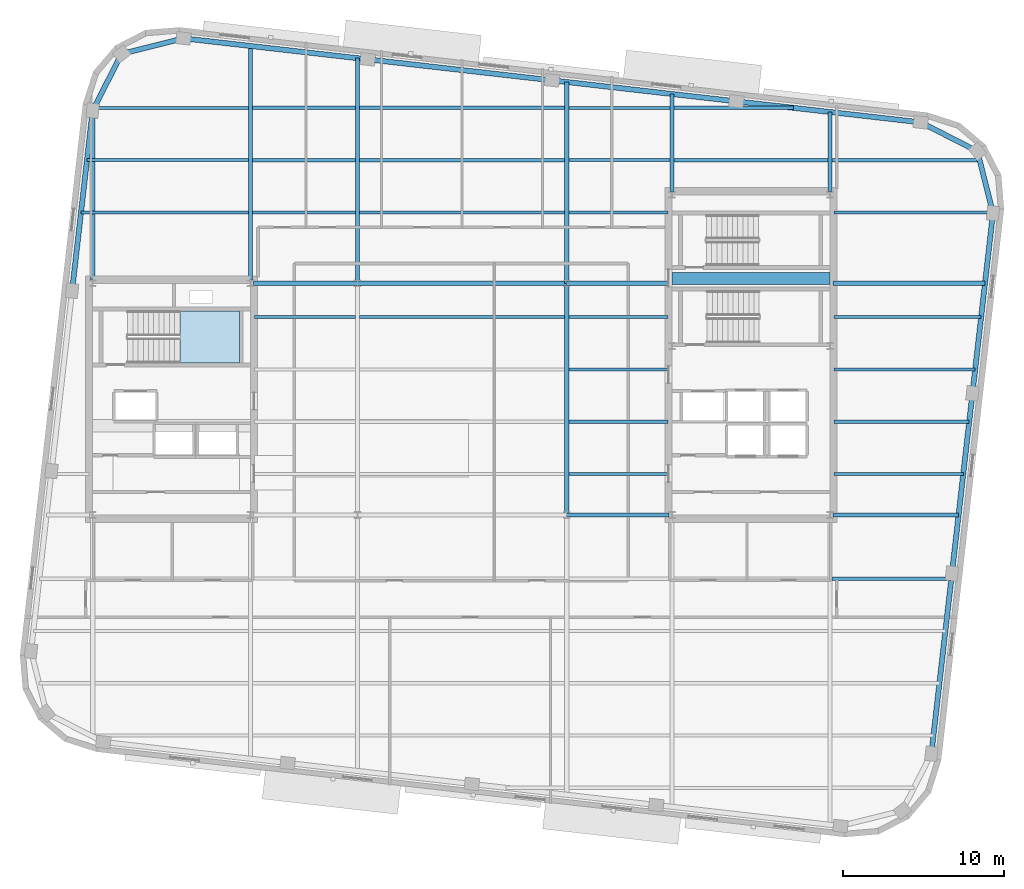
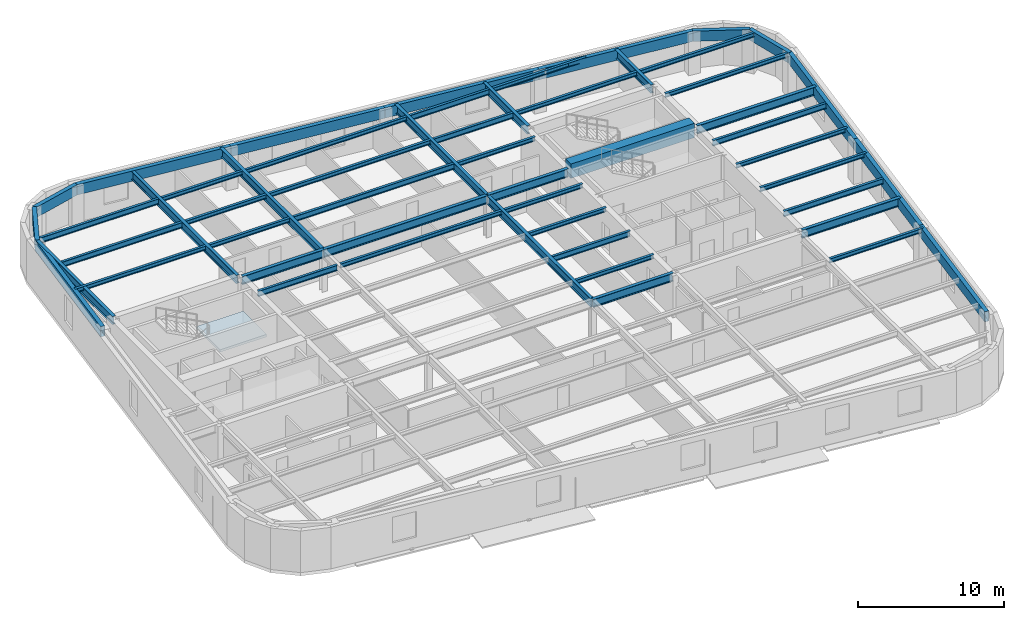
# One storey, part 4 of 13: 53 beams, 1 slab, 1 element without a shape of its own.
"""IFC4 building model written with IfcOpenShell, lengths in metres."""

from ifc_helpers import new_model, si_unit, direction, frame, origin, origin_2d, place, context, subcontext, project, spatial, polyline, rectangle, hollow_rectangle, i_section, outline, extrude, material, layer, layer_set, material_profile, profile_set, type_object, element, aggregate, save


model = new_model("IFC4")

# Units and contexts
model_context = context("Model", 3, precision=1e-05, world=origin(), true_north=direction((0.0, 1.0)))
body_context = subcontext(model_context, "Body", "Model", "MODEL_VIEW")
ifc_project = project(units=[si_unit("LENGTHUNIT", "METRE"), si_unit("AREAUNIT", "SQUARE_METRE"), si_unit("VOLUMEUNIT", "CUBIC_METRE"), si_unit("PLANEANGLEUNIT", "RADIAN"), si_unit("MASSUNIT", "GRAM", prefix="KILO")], contexts=[model_context])

# Site, building, storey
site_placement = place(None, origin())
site = spatial("IfcSite", under=ifc_project, at=site_placement, CompositionType="ELEMENT")
building_placement = place(site_placement, origin())
building = spatial("IfcBuilding", under=site, at=building_placement, Name="Kolvaren Arena Tower", CompositionType="ELEMENT")
storey_placement = place(building_placement, frame((0.0, 0.0, 239.699951171875)))
storey = spatial("IfcBuildingStorey", under=building, at=storey_placement, Name="L58", CompositionType="ELEMENT", Elevation=239.699951171875)

# Beams
ifc_material_1 = material(Name="Steel CSA G40.21 350W", Category="steel")
ifc_material_profile_1 = material_profile(ifc_material_1, i_section(OverallWidth=0.193115234375, OverallDepth=0.462890625, WebThickness=0.0107421875, FlangeThickness=0.0205078125, FilletRadius=0.012939453125, at=origin_2d()), Name="W460x113")
ifc_profile_set_1 = profile_set([ifc_material_profile_1], Name="Steel CSA G40.21 350W")
beam_type_1 = type_object("IfcBeamType", Name="BEAM-F2", PredefinedType="BEAM", material=ifc_profile_set_1)
beam_1_placement = place(storey_placement, frame((60.594970703125, 22.0, 3.24853515625), z_axis=(1.0, 0.0, 0.0), x_axis=(0.0, 1.0, 0.0)))
element("IfcBeam", 1, at=beam_1_placement, inside=storey, type_object=beam_type_1, Name="Composite Floor Beam (L58)", PredefinedType="BEAM", context=body_context, shape_type="SweptSolid", body=[
    extrude(i_section(OverallWidth=0.193115234375, OverallDepth=0.462890625, WebThickness=0.0107421875, FlangeThickness=0.0205078125, FilletRadius=0.012939453125, at=origin_2d()), origin(), (0.0, 0.0, 1.0), 8.041015625),
])
beam_2_placement = place(storey_placement, frame((44.12744140625, 25.25, 3.24853515625), z_axis=(1.0, 0.0, 0.0), x_axis=(0.0, 1.0, 0.0)))
element("IfcBeam", 2, at=beam_2_placement, inside=storey, type_object=beam_type_1, Name="Composite Floor Beam (L58)", PredefinedType="BEAM", context=body_context, shape_type="SweptSolid", body=[
    extrude(i_section(OverallWidth=0.193115234375, OverallDepth=0.462890625, WebThickness=0.0107421875, FlangeThickness=0.0205078125, FilletRadius=0.012939453125, at=origin_2d()), origin(), (0.0, 0.0, 1.0), 6.177490234375),
])
beam_3_placement = place(storey_placement, frame((24.594970703125, 31.75, 3.24853515625), z_axis=(1.0, 0.0, 0.0), x_axis=(0.0, 1.0, 0.0)))
element("IfcBeam", 3, at=beam_3_placement, inside=storey, type_object=beam_type_1, Name="Composite Floor Beam (L58)", PredefinedType="BEAM", context=body_context, shape_type="SweptSolid", body=[
    extrude(i_section(OverallWidth=0.193115234375, OverallDepth=0.462890625, WebThickness=0.0107421875, FlangeThickness=0.0205078125, FilletRadius=0.012939453125, at=origin_2d()), origin(), (0.0, 0.0, 1.0), 6.277587890625),
])
beam_4_placement = place(storey_placement, frame((60.594970703125, 31.75, 3.24853515625), z_axis=(1.0, 0.0, 0.0), x_axis=(0.0, 1.0, 0.0)))
element("IfcBeam", 4, at=beam_4_placement, inside=storey, type_object=beam_type_1, Name="Composite Floor Beam (L58)", PredefinedType="BEAM", context=body_context, shape_type="SweptSolid", body=[
    extrude(i_section(OverallWidth=0.193115234375, OverallDepth=0.462890625, WebThickness=0.0107421875, FlangeThickness=0.0205078125, FilletRadius=0.012939453125, at=origin_2d()), origin(), (0.0, 0.0, 1.0), 9.15185546875),
])
beam_5_placement = place(storey_placement, frame((31.12744140625, 38.25, 3.24853515625), z_axis=(1.0, 0.0, 0.0), x_axis=(0.0, 1.0, 0.0)))
element("IfcBeam", 5, at=beam_5_placement, inside=storey, type_object=beam_type_1, Name="Composite Floor Beam (L58)", PredefinedType="BEAM", context=body_context, shape_type="SweptSolid", body=[
    extrude(i_section(OverallWidth=0.193115234375, OverallDepth=0.462890625, WebThickness=0.0107421875, FlangeThickness=0.0205078125, FilletRadius=0.012939453125, at=origin_2d()), origin(), (0.0, 0.0, 1.0), 12.7451171875),
])
beam_6_placement = place(storey_placement, frame((14.193359375, 41.5, 3.24853515625), z_axis=(1.0, 0.0, 0.0), x_axis=(0.0, 1.0, 0.0)))
element("IfcBeam", 6, at=beam_6_placement, inside=storey, type_object=beam_type_1, Name="Composite Floor Beam (L58)", PredefinedType="BEAM", context=body_context, shape_type="SweptSolid", body=[
    extrude(i_section(OverallWidth=0.193115234375, OverallDepth=0.462890625, WebThickness=0.0107421875, FlangeThickness=0.0205078125, FilletRadius=0.012939453125, at=origin_2d()), origin(), (0.0, 0.0, 1.0), 10.029052734375),
])
beam_7_placement = place(storey_placement, frame((44.12744140625, 41.5, 3.24853515625), z_axis=(1.0, 0.0, 0.0), x_axis=(0.0, 1.0, 0.0)))
element("IfcBeam", 7, at=beam_7_placement, inside=storey, type_object=beam_type_1, Name="Composite Floor Beam (L58)", PredefinedType="BEAM", context=body_context, shape_type="SweptSolid", body=[
    extrude(i_section(OverallWidth=0.193115234375, OverallDepth=0.462890625, WebThickness=0.0107421875, FlangeThickness=0.0205078125, FilletRadius=0.012939453125, at=origin_2d()), origin(), (0.0, 0.0, 1.0), 6.295166015625),
])
beam_8_placement = place(storey_placement, frame((14.632080078125, 44.75, 3.24853515625), z_axis=(1.0, 0.0, 0.0), x_axis=(0.0, 1.0, 0.0)))
element("IfcBeam", 8, at=beam_8_placement, inside=storey, type_object=beam_type_1, Name="Composite Floor Beam (L58)", PredefinedType="BEAM", context=body_context, shape_type="SweptSolid", body=[
    extrude(i_section(OverallWidth=0.193115234375, OverallDepth=0.462890625, WebThickness=0.0107421875, FlangeThickness=0.0205078125, FilletRadius=0.012939453125, at=origin_2d()), origin(), (0.0, 0.0, 1.0), 9.59033203125),
])
beam_9_placement = place(storey_placement, frame((44.12744140625, 44.75, 3.24853515625), z_axis=(1.0, 0.0, 0.0), x_axis=(0.0, 1.0, 0.0)))
element("IfcBeam", 9, at=beam_9_placement, inside=storey, type_object=beam_type_1, Name="Composite Floor Beam (L58)", PredefinedType="BEAM", context=body_context, shape_type="SweptSolid", body=[
    extrude(i_section(OverallWidth=0.193115234375, OverallDepth=0.462890625, WebThickness=0.0107421875, FlangeThickness=0.0205078125, FilletRadius=0.012939453125, at=origin_2d()), origin(), (0.0, 0.0, 1.0), 6.295166015625),
])
ifc_material_2 = material(Name="Concrete 60 MPa", Category="concrete")
ifc_material_profile_2 = material_profile(ifc_material_2, rectangle(XDim=0.75, YDim=1.199951171875, at=origin_2d()), Name="RC-750x1200")
ifc_profile_set_2 = profile_set([ifc_material_profile_2], Name="Concrete 60 MPa")
beam_type_2 = type_object("IfcBeamType", Name="CB-CORE-2", PredefinedType="BEAM", material=ifc_profile_set_2)
beam_10_placement = place(storey_placement, frame((50.550048828125, 34.14990234375, 3.150146484375), z_axis=(1.0, 0.0, 0.0), x_axis=(0.0, 1.0, 0.0)))
element("IfcBeam", 10, at=beam_10_placement, inside=storey, type_object=beam_type_2, Name="East Core Coupling Beam (L58)", PredefinedType="BEAM", context=body_context, shape_type="SweptSolid", body=[
    extrude(rectangle(XDim=0.75, YDim=1.199951171875, at=origin_2d()), origin(), (0.0, 0.0, 1.0), 9.800048828125),
])
ifc_material_profile_3 = material_profile(ifc_material_1, i_section(OverallWidth=0.2548828125, OverallDepth=0.695068359375, WebThickness=0.01708984375, FlangeThickness=0.02978515625, FilletRadius=0.01611328125, at=origin_2d()), Name="W690x217")
ifc_profile_set_3 = profile_set([ifc_material_profile_3], Name="Steel CSA G40.21 350W")
beam_type_3 = type_object("IfcBeamType", Name="GIRD-T2", PredefinedType="BEAM", material=ifc_profile_set_3)
beam_11_placement = place(storey_placement, frame((44.0, 19.449951171875, 3.132568359375), z_axis=(1.0, 0.0, 0.0), x_axis=(0.0, 1.0, 0.0)))
element("IfcBeam", 11, at=beam_11_placement, inside=storey, type_object=beam_type_3, Name="Primary Floor Girder (L58)", PredefinedType="BEAM", context=body_context, shape_type="SweptSolid", body=[
    extrude(i_section(OverallWidth=0.2548828125, OverallDepth=0.695068359375, WebThickness=0.01708984375, FlangeThickness=0.02978515625, FilletRadius=0.01611328125, at=origin_2d()), origin(), (0.0, 0.0, 1.0), 6.344970703125),
])
beam_12_placement = place(storey_placement, frame((60.554931640625, 19.449951171875, 3.132568359375), z_axis=(1.0, 0.0, 0.0), x_axis=(0.0, 1.0, 0.0)))
element("IfcBeam", 12, at=beam_12_placement, inside=storey, type_object=beam_type_3, Name="Primary Floor Girder (L58)", PredefinedType="BEAM", context=body_context, shape_type="SweptSolid", body=[
    extrude(i_section(OverallWidth=0.2548828125, OverallDepth=0.695068359375, WebThickness=0.01708984375, FlangeThickness=0.02978515625, FilletRadius=0.01611328125, at=origin_2d()), origin(), (0.0, 0.0, 1.0), 7.790283203125),
])
beam_13_placement = place(storey_placement, frame((24.554931640625, 33.85009765625, 3.132568359375), z_axis=(1.0, 0.0, 0.0), x_axis=(0.0, 1.0, 0.0)))
element("IfcBeam", 13, at=beam_13_placement, inside=storey, type_object=beam_type_3, Name="Primary Floor Girder (L58)", PredefinedType="BEAM", context=body_context, shape_type="SweptSolid", body=[
    extrude(i_section(OverallWidth=0.2548828125, OverallDepth=0.695068359375, WebThickness=0.01708984375, FlangeThickness=0.02978515625, FilletRadius=0.01611328125, at=origin_2d()), origin(), (0.0, 0.0, 1.0), 6.445068359375),
])
beam_14_placement = place(storey_placement, frame((31.0, 33.85009765625, 3.132568359375), z_axis=(1.0, 0.0, 0.0), x_axis=(0.0, 1.0, 0.0)))
element("IfcBeam", 14, at=beam_14_placement, inside=storey, type_object=beam_type_3, Name="Primary Floor Girder (L58)", PredefinedType="BEAM", context=body_context, shape_type="SweptSolid", body=[
    extrude(i_section(OverallWidth=0.2548828125, OverallDepth=0.695068359375, WebThickness=0.01708984375, FlangeThickness=0.02978515625, FilletRadius=0.01611328125, at=origin_2d()), origin(), (0.0, 0.0, 1.0), 13.0),
])
beam_15_placement = place(storey_placement, frame((44.0, 33.85009765625, 3.132568359375), z_axis=(1.0, 0.0, 0.0), x_axis=(0.0, 1.0, 0.0)))
element("IfcBeam", 15, at=beam_15_placement, inside=storey, type_object=beam_type_3, Name="Primary Floor Girder (L58)", PredefinedType="BEAM", context=body_context, shape_type="SweptSolid", body=[
    extrude(i_section(OverallWidth=0.2548828125, OverallDepth=0.695068359375, WebThickness=0.01708984375, FlangeThickness=0.02978515625, FilletRadius=0.01611328125, at=origin_2d()), origin(), (0.0, 0.0, 1.0), 6.344970703125),
])
beam_16_placement = place(storey_placement, frame((60.554931640625, 33.85009765625, 3.132568359375), z_axis=(1.0, 0.0, 0.0), x_axis=(0.0, 1.0, 0.0)))
element("IfcBeam", 16, at=beam_16_placement, inside=storey, type_object=beam_type_3, Name="Primary Floor Girder (L58)", PredefinedType="BEAM", context=body_context, shape_type="SweptSolid", body=[
    extrude(i_section(OverallWidth=0.2548828125, OverallDepth=0.695068359375, WebThickness=0.01708984375, FlangeThickness=0.02978515625, FilletRadius=0.01611328125, at=origin_2d()), origin(), (0.0, 0.0, 1.0), 9.43115234375),
])
beam_17_placement = place(storey_placement, frame((14.550048828125, 34.054931640625, 3.132568359375), z_axis=(0.0, 1.0, 0.0), x_axis=(-1.0, 0.0, 0.0)))
element("IfcBeam", 17, at=beam_17_placement, inside=storey, type_object=beam_type_3, Name="Primary Floor Girder (L58)", PredefinedType="BEAM", context=body_context, shape_type="SweptSolid", body=[
    extrude(i_section(OverallWidth=0.2548828125, OverallDepth=0.695068359375, WebThickness=0.01708984375, FlangeThickness=0.02978515625, FilletRadius=0.01611328125, at=origin_2d()), origin(), (0.0, 0.0, 1.0), 10.53466796875),
])
beam_18_placement = place(storey_placement, frame((24.35009765625, 34.054931640625, 3.132568359375), z_axis=(0.0, 1.0, 0.0), x_axis=(-1.0, 0.0, 0.0)))
element("IfcBeam", 18, at=beam_18_placement, inside=storey, type_object=beam_type_3, Name="Primary Floor Girder (L58)", PredefinedType="BEAM", context=body_context, shape_type="SweptSolid", body=[
    extrude(i_section(OverallWidth=0.2548828125, OverallDepth=0.695068359375, WebThickness=0.01708984375, FlangeThickness=0.02978515625, FilletRadius=0.01611328125, at=origin_2d()), origin(), (0.0, 0.0, 1.0), 14.538818359375),
])
beam_19_placement = place(storey_placement, frame((31.0, 33.85009765625, 3.132568359375), z_axis=(0.0, 1.0, 0.0), x_axis=(-1.0, 0.0, 0.0)))
element("IfcBeam", 19, at=beam_19_placement, inside=storey, type_object=beam_type_3, Name="Primary Floor Girder (L58)", PredefinedType="BEAM", context=body_context, shape_type="SweptSolid", body=[
    extrude(i_section(OverallWidth=0.2548828125, OverallDepth=0.695068359375, WebThickness=0.01708984375, FlangeThickness=0.02978515625, FilletRadius=0.01611328125, at=origin_2d()), origin(), (0.0, 0.0, 1.0), 13.986083984375),
])
beam_20_placement = place(storey_placement, frame((44.0, 19.449951171875, 3.132568359375), z_axis=(0.0, 1.0, 0.0), x_axis=(-1.0, 0.0, 0.0)))
element("IfcBeam", 20, at=beam_20_placement, inside=storey, type_object=beam_type_3, Name="Primary Floor Girder (L58)", PredefinedType="BEAM", context=body_context, shape_type="SweptSolid", body=[
    extrude(i_section(OverallWidth=0.2548828125, OverallDepth=0.695068359375, WebThickness=0.01708984375, FlangeThickness=0.02978515625, FilletRadius=0.01611328125, at=origin_2d()), origin(), (0.0, 0.0, 1.0), 14.400146484375),
])
beam_21_placement = place(storey_placement, frame((44.0, 33.85009765625, 3.132568359375), z_axis=(0.0, 1.0, 0.0), x_axis=(-1.0, 0.0, 0.0)))
element("IfcBeam", 21, at=beam_21_placement, inside=storey, type_object=beam_type_3, Name="Primary Floor Girder (L58)", PredefinedType="BEAM", context=body_context, shape_type="SweptSolid", body=[
    extrude(i_section(OverallWidth=0.2548828125, OverallDepth=0.695068359375, WebThickness=0.01708984375, FlangeThickness=0.02978515625, FilletRadius=0.01611328125, at=origin_2d()), origin(), (0.0, 0.0, 1.0), 12.5048828125),
])
beam_22_placement = place(storey_placement, frame((50.550048828125, 39.554931640625, 3.132568359375), z_axis=(0.0, 1.0, 0.0), x_axis=(-1.0, 0.0, 0.0)))
element("IfcBeam", 22, at=beam_22_placement, inside=storey, type_object=beam_type_3, Name="Primary Floor Girder (L58)", PredefinedType="BEAM", context=body_context, shape_type="SweptSolid", body=[
    extrude(i_section(OverallWidth=0.2548828125, OverallDepth=0.695068359375, WebThickness=0.01708984375, FlangeThickness=0.02978515625, FilletRadius=0.01611328125, at=origin_2d()), origin(), (0.0, 0.0, 1.0), 6.0537109375),
])
beam_23_placement = place(storey_placement, frame((60.35009765625, 39.554931640625, 3.132568359375), z_axis=(0.0, 1.0, 0.0), x_axis=(-1.0, 0.0, 0.0)))
element("IfcBeam", 23, at=beam_23_placement, inside=storey, type_object=beam_type_3, Name="Primary Floor Girder (L58)", PredefinedType="BEAM", context=body_context, shape_type="SweptSolid", body=[
    extrude(i_section(OverallWidth=0.2548828125, OverallDepth=0.695068359375, WebThickness=0.01708984375, FlangeThickness=0.02978515625, FilletRadius=0.01611328125, at=origin_2d()), origin(), (0.0, 0.0, 1.0), 4.937255859375),
])
ifc_material_profile_4 = material_profile(ifc_material_1, i_section(OverallWidth=0.202880859375, OverallDepth=0.346923828125, WebThickness=0.0078125, FlangeThickness=0.013427734375, FilletRadius=0.010986328125, at=origin_2d()), Name="W360x64")
ifc_profile_set_4 = profile_set([ifc_material_profile_4], Name="Steel CSA G40.21 350W")
beam_type_4 = type_object("IfcBeamType", Name="JOIST-01", PredefinedType="JOIST", material=ifc_profile_set_4)
beam_24_placement = place(storey_placement, frame((60.4775390625, 15.5, 3.306640625), z_axis=(1.0, 0.0, 0.0), x_axis=(0.0, 1.0, 0.0)))
element("IfcBeam", 24, at=beam_24_placement, inside=storey, type_object=beam_type_4, Name="Composite Floor Joist (L58)", PredefinedType="JOIST", context=body_context, shape_type="SweptSolid", body=[
    extrude(i_section(OverallWidth=0.202880859375, OverallDepth=0.346923828125, WebThickness=0.0078125, FlangeThickness=0.013427734375, FilletRadius=0.010986328125, at=origin_2d()), origin(), (0.0, 0.0, 1.0), 7.417724609375),
])
beam_25_placement = place(storey_placement, frame((44.12744140625, 22.0, 3.306640625), z_axis=(1.0, 0.0, 0.0), x_axis=(0.0, 1.0, 0.0)))
element("IfcBeam", 25, at=beam_25_placement, inside=storey, type_object=beam_type_4, Name="Composite Floor Joist (L58)", PredefinedType="JOIST", context=body_context, shape_type="SweptSolid", body=[
    extrude(i_section(OverallWidth=0.202880859375, OverallDepth=0.346923828125, WebThickness=0.0078125, FlangeThickness=0.013427734375, FilletRadius=0.010986328125, at=origin_2d()), origin(), (0.0, 0.0, 1.0), 6.177490234375),
])
beam_26_placement = place(storey_placement, frame((60.594970703125, 25.25, 3.306640625), z_axis=(1.0, 0.0, 0.0), x_axis=(0.0, 1.0, 0.0)))
element("IfcBeam", 26, at=beam_26_placement, inside=storey, type_object=beam_type_4, Name="Composite Floor Joist (L58)", PredefinedType="JOIST", context=body_context, shape_type="SweptSolid", body=[
    extrude(i_section(OverallWidth=0.202880859375, OverallDepth=0.346923828125, WebThickness=0.0078125, FlangeThickness=0.013427734375, FilletRadius=0.010986328125, at=origin_2d()), origin(), (0.0, 0.0, 1.0), 8.4111328125),
])
beam_27_placement = place(storey_placement, frame((44.12744140625, 28.5, 3.306640625), z_axis=(1.0, 0.0, 0.0), x_axis=(0.0, 1.0, 0.0)))
element("IfcBeam", 27, at=beam_27_placement, inside=storey, type_object=beam_type_4, Name="Composite Floor Joist (L58)", PredefinedType="JOIST", context=body_context, shape_type="SweptSolid", body=[
    extrude(i_section(OverallWidth=0.202880859375, OverallDepth=0.346923828125, WebThickness=0.0078125, FlangeThickness=0.013427734375, FilletRadius=0.010986328125, at=origin_2d()), origin(), (0.0, 0.0, 1.0), 6.177490234375),
])
beam_28_placement = place(storey_placement, frame((60.594970703125, 28.5, 3.306640625), z_axis=(1.0, 0.0, 0.0), x_axis=(0.0, 1.0, 0.0)))
element("IfcBeam", 28, at=beam_28_placement, inside=storey, type_object=beam_type_4, Name="Composite Floor Joist (L58)", PredefinedType="JOIST", context=body_context, shape_type="SweptSolid", body=[
    extrude(i_section(OverallWidth=0.202880859375, OverallDepth=0.346923828125, WebThickness=0.0078125, FlangeThickness=0.013427734375, FilletRadius=0.010986328125, at=origin_2d()), origin(), (0.0, 0.0, 1.0), 8.781494140625),
])
beam_29_placement = place(storey_placement, frame((31.12744140625, 31.75, 3.306640625), z_axis=(1.0, 0.0, 0.0), x_axis=(0.0, 1.0, 0.0)))
element("IfcBeam", 29, at=beam_29_placement, inside=storey, type_object=beam_type_4, Name="Composite Floor Joist (L58)", PredefinedType="JOIST", context=body_context, shape_type="SweptSolid", body=[
    extrude(i_section(OverallWidth=0.202880859375, OverallDepth=0.346923828125, WebThickness=0.0078125, FlangeThickness=0.013427734375, FilletRadius=0.010986328125, at=origin_2d()), origin(), (0.0, 0.0, 1.0), 12.7451171875),
])
beam_30_placement = place(storey_placement, frame((44.12744140625, 31.75, 3.306640625), z_axis=(1.0, 0.0, 0.0), x_axis=(0.0, 1.0, 0.0)))
element("IfcBeam", 30, at=beam_30_placement, inside=storey, type_object=beam_type_4, Name="Composite Floor Joist (L58)", PredefinedType="JOIST", context=body_context, shape_type="SweptSolid", body=[
    extrude(i_section(OverallWidth=0.202880859375, OverallDepth=0.346923828125, WebThickness=0.0078125, FlangeThickness=0.013427734375, FilletRadius=0.010986328125, at=origin_2d()), origin(), (0.0, 0.0, 1.0), 6.177490234375),
])
beam_31_placement = place(storey_placement, frame((13.822998046875, 38.25, 3.306640625), z_axis=(1.0, 0.0, 0.0), x_axis=(0.0, 1.0, 0.0)))
element("IfcBeam", 31, at=beam_31_placement, inside=storey, type_object=beam_type_4, Name="Composite Floor Joist (L58)", PredefinedType="JOIST", context=body_context, shape_type="SweptSolid", body=[
    extrude(i_section(OverallWidth=0.202880859375, OverallDepth=0.346923828125, WebThickness=0.0078125, FlangeThickness=0.013427734375, FilletRadius=0.010986328125, at=origin_2d()), origin(), (0.0, 0.0, 1.0), 10.3994140625),
])
beam_32_placement = place(storey_placement, frame((24.4775390625, 38.25, 3.306640625), z_axis=(1.0, 0.0, 0.0), x_axis=(0.0, 1.0, 0.0)))
element("IfcBeam", 32, at=beam_32_placement, inside=storey, type_object=beam_type_4, Name="Composite Floor Joist (L58)", PredefinedType="JOIST", context=body_context, shape_type="SweptSolid", body=[
    extrude(i_section(OverallWidth=0.202880859375, OverallDepth=0.346923828125, WebThickness=0.0078125, FlangeThickness=0.013427734375, FilletRadius=0.010986328125, at=origin_2d()), origin(), (0.0, 0.0, 1.0), 6.39501953125),
])
beam_33_placement = place(storey_placement, frame((44.12744140625, 38.25, 3.306640625), z_axis=(1.0, 0.0, 0.0), x_axis=(0.0, 1.0, 0.0)))
element("IfcBeam", 33, at=beam_33_placement, inside=storey, type_object=beam_type_4, Name="Composite Floor Joist (L58)", PredefinedType="JOIST", context=body_context, shape_type="SweptSolid", body=[
    extrude(i_section(OverallWidth=0.202880859375, OverallDepth=0.346923828125, WebThickness=0.0078125, FlangeThickness=0.013427734375, FilletRadius=0.010986328125, at=origin_2d()), origin(), (0.0, 0.0, 1.0), 6.177490234375),
])
beam_34_placement = place(storey_placement, frame((60.594970703125, 38.25, 3.306640625), z_axis=(1.0, 0.0, 0.0), x_axis=(0.0, 1.0, 0.0)))
element("IfcBeam", 34, at=beam_34_placement, inside=storey, type_object=beam_type_4, Name="Composite Floor Joist (L58)", PredefinedType="JOIST", context=body_context, shape_type="SweptSolid", body=[
    extrude(i_section(OverallWidth=0.202880859375, OverallDepth=0.346923828125, WebThickness=0.0078125, FlangeThickness=0.013427734375, FilletRadius=0.010986328125, at=origin_2d()), origin(), (0.0, 0.0, 1.0), 9.8759765625),
])
beam_35_placement = place(storey_placement, frame((24.4775390625, 41.5, 3.306640625), z_axis=(1.0, 0.0, 0.0), x_axis=(0.0, 1.0, 0.0)))
element("IfcBeam", 35, at=beam_35_placement, inside=storey, type_object=beam_type_4, Name="Composite Floor Joist (L58)", PredefinedType="JOIST", context=body_context, shape_type="SweptSolid", body=[
    extrude(i_section(OverallWidth=0.202880859375, OverallDepth=0.346923828125, WebThickness=0.0078125, FlangeThickness=0.013427734375, FilletRadius=0.010986328125, at=origin_2d()), origin(), (0.0, 0.0, 1.0), 6.39501953125),
])
beam_36_placement = place(storey_placement, frame((31.12744140625, 41.5, 3.306640625), z_axis=(1.0, 0.0, 0.0), x_axis=(0.0, 1.0, 0.0)))
element("IfcBeam", 36, at=beam_36_placement, inside=storey, type_object=beam_type_4, Name="Composite Floor Joist (L58)", PredefinedType="JOIST", context=body_context, shape_type="SweptSolid", body=[
    extrude(i_section(OverallWidth=0.202880859375, OverallDepth=0.346923828125, WebThickness=0.0078125, FlangeThickness=0.013427734375, FilletRadius=0.010986328125, at=origin_2d()), origin(), (0.0, 0.0, 1.0), 12.7451171875),
])
beam_37_placement = place(storey_placement, frame((50.677490234375, 41.5, 3.306640625), z_axis=(1.0, 0.0, 0.0), x_axis=(0.0, 1.0, 0.0)))
element("IfcBeam", 37, at=beam_37_placement, inside=storey, type_object=beam_type_4, Name="Composite Floor Joist (L58)", PredefinedType="JOIST", context=body_context, shape_type="SweptSolid", body=[
    extrude(i_section(OverallWidth=0.202880859375, OverallDepth=0.346923828125, WebThickness=0.0078125, FlangeThickness=0.013427734375, FilletRadius=0.010986328125, at=origin_2d()), origin(), (0.0, 0.0, 1.0), 9.544921875),
])
beam_38_placement = place(storey_placement, frame((60.4775390625, 41.5, 3.306640625), z_axis=(1.0, 0.0, 0.0), x_axis=(0.0, 1.0, 0.0)))
element("IfcBeam", 38, at=beam_38_placement, inside=storey, type_object=beam_type_4, Name="Composite Floor Joist (L58)", PredefinedType="JOIST", context=body_context, shape_type="SweptSolid", body=[
    extrude(i_section(OverallWidth=0.202880859375, OverallDepth=0.346923828125, WebThickness=0.0078125, FlangeThickness=0.013427734375, FilletRadius=0.010986328125, at=origin_2d()), origin(), (0.0, 0.0, 1.0), 9.17919921875),
])
beam_39_placement = place(storey_placement, frame((24.4775390625, 44.75, 3.306640625), z_axis=(1.0, 0.0, 0.0), x_axis=(0.0, 1.0, 0.0)))
element("IfcBeam", 39, at=beam_39_placement, inside=storey, type_object=beam_type_4, Name="Composite Floor Joist (L58)", PredefinedType="JOIST", context=body_context, shape_type="SweptSolid", body=[
    extrude(i_section(OverallWidth=0.202880859375, OverallDepth=0.346923828125, WebThickness=0.0078125, FlangeThickness=0.013427734375, FilletRadius=0.010986328125, at=origin_2d()), origin(), (0.0, 0.0, 1.0), 6.39501953125),
])
beam_40_placement = place(storey_placement, frame((31.12744140625, 44.75, 3.306640625), z_axis=(1.0, 0.0, 0.0), x_axis=(0.0, 1.0, 0.0)))
element("IfcBeam", 40, at=beam_40_placement, inside=storey, type_object=beam_type_4, Name="Composite Floor Joist (L58)", PredefinedType="JOIST", context=body_context, shape_type="SweptSolid", body=[
    extrude(i_section(OverallWidth=0.202880859375, OverallDepth=0.346923828125, WebThickness=0.0078125, FlangeThickness=0.013427734375, FilletRadius=0.010986328125, at=origin_2d()), origin(), (0.0, 0.0, 1.0), 12.7451171875),
])
beam_41_placement = place(storey_placement, frame((50.677490234375, 44.75, 3.306640625), z_axis=(1.0, 0.0, 0.0), x_axis=(0.0, 1.0, 0.0)))
element("IfcBeam", 41, at=beam_41_placement, inside=storey, type_object=beam_type_4, Name="Composite Floor Joist (L58)", PredefinedType="JOIST", context=body_context, shape_type="SweptSolid", body=[
    extrude(i_section(OverallWidth=0.202880859375, OverallDepth=0.346923828125, WebThickness=0.0078125, FlangeThickness=0.013427734375, FilletRadius=0.010986328125, at=origin_2d()), origin(), (0.0, 0.0, 1.0), 7.40869140625),
])
ifc_material_3 = material(Name="Steel CSA G40.21 350WT", Category="steel")
ifc_material_profile_5 = material_profile(ifc_material_3, hollow_rectangle(XDim=0.320068359375, YDim=0.860107421875, WallThickness=0.01806640625, at=origin_2d()), Name="HSS 860x320x18")
ifc_profile_set_5 = profile_set([ifc_material_profile_5], Name="Steel CSA G40.21 350WT")
beam_type_5 = type_object("IfcBeamType", Name="SPAND-02", PredefinedType="SPANDREL", material=ifc_profile_set_5)
beam_42_placement = place(storey_placement, frame((66.656005859375, 4.6220703125, 3.050048828125), z_axis=(0.113201896536, 0.993572005755, 0.0), x_axis=(-0.993572005755, 0.113201896536, 0.0)))
element("IfcBeam", 42, at=beam_42_placement, inside=storey, type_object=beam_type_5, Name="Perimeter Spandrel Beam (L58)", PredefinedType="SPANDREL", context=body_context, shape_type="SweptSolid", body=[
    extrude(hollow_rectangle(XDim=0.320068359375, YDim=0.860107421875, WallThickness=0.01806640625, at=origin_2d()), origin(), (0.0, 0.0, 1.0), 11.2666015625),
])
beam_43_placement = place(storey_placement, frame((67.931396484375, 15.816162109375, 3.050048828125), z_axis=(0.113199459318, 0.993572283435, 0.0), x_axis=(-0.993572283435, 0.113199459318, 0.0)))
element("IfcBeam", 43, at=beam_43_placement, inside=storey, type_object=beam_type_5, Name="Perimeter Spandrel Beam (L58)", PredefinedType="SPANDREL", context=body_context, shape_type="SweptSolid", body=[
    extrude(hollow_rectangle(XDim=0.320068359375, YDim=0.860107421875, WallThickness=0.01806640625, at=origin_2d()), origin(), (0.0, 0.0, 1.0), 11.266845703125),
])
beam_44_placement = place(storey_placement, frame((69.206787109375, 27.010498046875, 3.050048828125), z_axis=(0.113201896536, 0.993572005755, 0.0), x_axis=(-0.993572005755, 0.113201896536, 0.0)))
element("IfcBeam", 44, at=beam_44_placement, inside=storey, type_object=beam_type_5, Name="Perimeter Spandrel Beam (L58)", PredefinedType="SPANDREL", context=body_context, shape_type="SweptSolid", body=[
    extrude(hollow_rectangle(XDim=0.320068359375, YDim=0.860107421875, WallThickness=0.01806640625, at=origin_2d()), origin(), (0.0, 0.0, 1.0), 11.2666015625),
])
for number, where, z_axis, x_axis, name in (
    (45, (70.482177734375, 38.20458984375, 3.050048828125), (-0.242956154878, 0.970037270834, 0.0), (-0.970037270834, -0.242956154878, 0.0), "Perimeter Spandrel Beam (L58)"),
    (46, (69.519775390625, 42.047119140625, 3.050048828125), (-0.890535676656, 0.454913407807, 0.0), (-0.454913407807, -0.890535676656, 0.0), "Perimeter Spandrel Beam (L58)"),
):
    element("IfcBeam", number, at=place(storey_placement, frame(where, z_axis=z_axis, x_axis=x_axis)), inside=storey, type_object=beam_type_5, Name=name, PredefinedType="SPANDREL", context=body_context, shape_type="SweptSolid", body=[
        extrude(hollow_rectangle(XDim=0.320068359375, YDim=0.860107421875, WallThickness=0.01806640625, at=origin_2d()), origin(), (0.0, 0.0, 1.0), 3.961181640625),
    ])
beam_45_placement = place(storey_placement, frame((65.9921875, 43.84912109375, 3.050048828125), z_axis=(-0.993571397957, 0.113207231049, 0.0), x_axis=(-0.113207231049, -0.993571397957, 0.0)))
element("IfcBeam", 47, at=beam_45_placement, inside=storey, type_object=beam_type_5, Name="Perimeter Spandrel Beam (L58)", PredefinedType="SPANDREL", context=body_context, shape_type="SweptSolid", body=[
    extrude(hollow_rectangle(XDim=0.320068359375, YDim=0.860107421875, WallThickness=0.01806640625, at=origin_2d()), origin(), (0.0, 0.0, 1.0), 11.524658203125),
])
for number, where, z_axis, x_axis, name in (
    (48, (54.54150390625, 45.15380859375, 3.050048828125), (-0.99357166944, 0.113204848336, 0.0), (-0.113204848336, -0.99357166944, 0.0), "Perimeter Spandrel Beam (L58)"),
    (49, (43.090576171875, 46.45849609375, 3.050048828125), (-0.99357166944, 0.113204848336, 0.0), (-0.113204848336, -0.99357166944, 0.0), "Perimeter Spandrel Beam (L58)"),
    (50, (31.6396484375, 47.76318359375, 3.050048828125), (-0.99357166944, 0.113204848336, 0.0), (-0.113204848336, -0.99357166944, 0.0), "Perimeter Spandrel Beam (L58)"),
):
    element("IfcBeam", number, at=place(storey_placement, frame(where, z_axis=z_axis, x_axis=x_axis)), inside=storey, type_object=beam_type_5, Name=name, PredefinedType="SPANDREL", context=body_context, shape_type="SweptSolid", body=[
        extrude(hollow_rectangle(XDim=0.320068359375, YDim=0.860107421875, WallThickness=0.01806640625, at=origin_2d()), origin(), (0.0, 0.0, 1.0), 11.52490234375),
    ])
for number, where, z_axis, x_axis, name in (
    (51, (20.188720703125, 49.06787109375, 3.050048828125), (-0.970037270834, -0.242956154878, 0.0), (0.242956154878, -0.970037270834, 0.0), "Perimeter Spandrel Beam (L58)"),
    (52, (16.34619140625, 48.10546875, 3.050048828125), (-0.454913407807, -0.890535676656, 0.0), (0.890535676656, -0.454913407807, 0.0), "Perimeter Spandrel Beam (L58)"),
):
    element("IfcBeam", number, at=place(storey_placement, frame(where, z_axis=z_axis, x_axis=x_axis)), inside=storey, type_object=beam_type_5, Name=name, PredefinedType="SPANDREL", context=body_context, shape_type="SweptSolid", body=[
        extrude(hollow_rectangle(XDim=0.320068359375, YDim=0.860107421875, WallThickness=0.01806640625, at=origin_2d()), origin(), (0.0, 0.0, 1.0), 3.961181640625),
    ])
beam_46_placement = place(storey_placement, frame((14.544189453125, 44.577880859375, 3.050048828125), z_axis=(-0.113201896536, -0.993572005755, 0.0), x_axis=(0.993572005755, -0.113201896536, 0.0)))
element("IfcBeam", 53, at=beam_46_placement, inside=storey, type_object=beam_type_5, Name="Perimeter Spandrel Beam (L58)", PredefinedType="SPANDREL", context=body_context, shape_type="SweptSolid", body=[
    extrude(hollow_rectangle(XDim=0.320068359375, YDim=0.860107421875, WallThickness=0.01806640625, at=origin_2d()), origin(), (0.0, 0.0, 1.0), 11.2666015625),
])

# Stair, slab
ifc_material_4 = material(Name="Concrete 45 MPa", Category="concrete")
stair_type = type_object("IfcStairType", Name="STAIR-CORE-165", PredefinedType="HALF_TURN_STAIR", material=ifc_material_4)
stair_placement = place(storey_placement, origin())
stair = element("IfcStair", 54, at=stair_placement, inside=storey, type_object=stair_type, Name="L58 ST-W1", PredefinedType="HALF_TURN_STAIR")
ifc_layer = layer(ifc_material_4, 0.199951171875)
ifc_layer_set = layer_set([ifc_layer], Name="Concrete 45 MPa")
slab_type = type_object("IfcSlabType", Name="SLAB-LAND", PredefinedType="LANDING", material=ifc_layer_set)
slab_placement = place(storey_placement, frame((0.0, 0.0, 1.675048828125)))
slab = element("IfcSlab", 55, at=slab_placement, type_object=slab_type, Name="ST-W1 landing 1", PredefinedType="LANDING", context=body_context, shape_type="SweptSolid", body=[
    extrude(outline(polyline([(19.9599609375, 28.89990234375), (23.659912109375, 28.89990234375), (23.659912109375, 32.1298828125), (19.9599609375, 32.1298828125), (19.9599609375, 28.89990234375)])), origin(), (0.0, 0.0, 1.0), 0.199951171875),
])
aggregate(stair, [slab])

save(model, "model.ifc")
